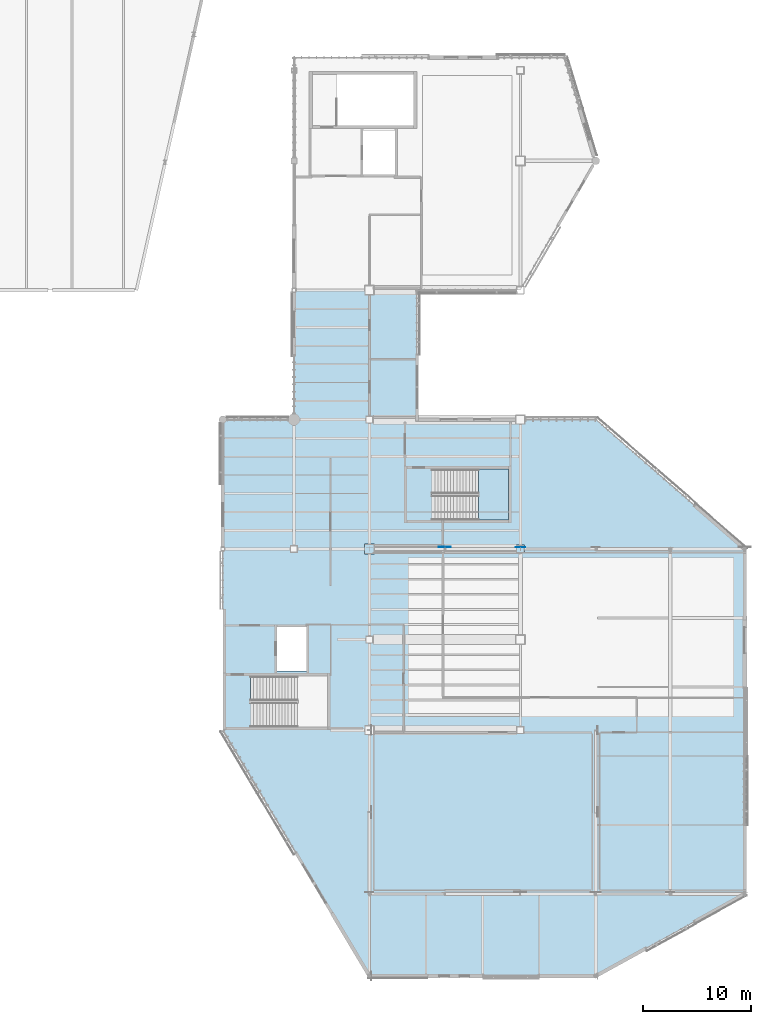
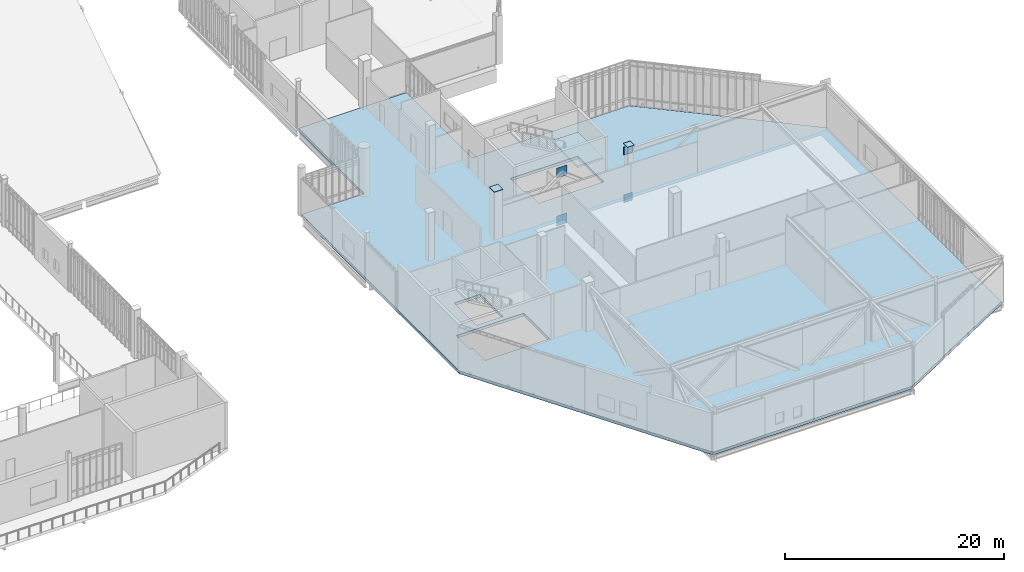
# One storey, part 86 of 135: 6 plates, 2 slabs, 1 element without a shape of its own.
"""IFC4 building model written with IfcOpenShell, lengths in metres."""

from ifc_helpers import new_model, si_unit, direction, frame, origin, origin_2d, place, context, subcontext, project, spatial, polyline, rectangle, outline, extrude, material, layer, layer_set, type_object, element, aggregate, save


model = new_model("IFC4")

# Units and contexts
model_context = context("Model", 3, precision=1e-05, world=origin(), true_north=direction((0.0, 1.0)))
body_context = subcontext(model_context, "Body", "Model", "MODEL_VIEW")
ifc_project = project(units=[si_unit("LENGTHUNIT", "METRE"), si_unit("AREAUNIT", "SQUARE_METRE"), si_unit("VOLUMEUNIT", "CUBIC_METRE"), si_unit("PLANEANGLEUNIT", "RADIAN"), si_unit("MASSUNIT", "GRAM", prefix="KILO")], contexts=[model_context])

# Site, building, storey
site_placement = place(None, origin())
site = spatial("IfcSite", under=ifc_project, at=site_placement, CompositionType="ELEMENT")
building_placement = place(site_placement, origin())
building = spatial("IfcBuilding", under=site, at=building_placement, Name="Larkvane Passage Sports Hall", CompositionType="ELEMENT")
storey_placement = place(building_placement, frame((0.0, 0.0, 16.800048828125)))
storey = spatial("IfcBuildingStorey", under=building, at=storey_placement, Name="L03", CompositionType="ELEMENT", Elevation=16.800048828125)

# Plates
ifc_material_1 = material(Name="Steel S460N", Category="steel")
ifc_layer_1 = layer(ifc_material_1, 0.028076171875)
ifc_layer_set_1 = layer_set([ifc_layer_1], Name="Steel S460N")
plate_type_1 = type_object("IfcPlateType", Name="PLT-CAP-28", PredefinedType="SHEET", material=ifc_layer_set_1)
plate_1_placement = place(storey_placement, frame((145.60009765625, 39.60009765625, 5.39990234375), z_axis=(0.0, 0.0, 1.0), x_axis=(1.0, 0.0, 0.0)))
element("IfcPlate", 1, at=plate_1_placement, inside=storey, type_object=plate_type_1, Name="Hollow section sealed end cap plate 0037", PredefinedType="SHEET", context=body_context, shape_type="SweptSolid", body=[
    extrude(rectangle(XDim=0.739990234375, YDim=0.739990234375, at=origin_2d()), origin(), (0.0, 0.0, 1.0), 0.028076171875),
])
ifc_layer_2 = layer(ifc_material_1, 0.035888671875)
ifc_layer_set_2 = layer_set([ifc_layer_2], Name="Steel S460N")
plate_type_2 = type_object("IfcPlateType", Name="PLT-CAP-36", PredefinedType="SHEET", material=ifc_layer_set_2)
plate_2_placement = place(storey_placement, frame((131.60009765625, 39.60009765625, 5.39990234375), z_axis=(0.0, 0.0, 1.0), x_axis=(1.0, 0.0, 0.0)))
element("IfcPlate", 2, at=plate_2_placement, inside=storey, type_object=plate_type_2, Name="Hollow section sealed end cap plate 0030", PredefinedType="SHEET", context=body_context, shape_type="SweptSolid", body=[
    extrude(rectangle(XDim=0.93994140625, YDim=0.93994140625, at=origin_2d()), origin(), (0.0, 0.0, 1.0), 0.035888671875),
])
ifc_layer_3 = layer(ifc_material_1, 0.031982421875)
ifc_layer_set_3 = layer_set([ifc_layer_3], Name="Steel S460N")
plate_type_3 = type_object("IfcPlateType", Name="PLT-GUS-32", PredefinedType="USERDEFINED", material=ifc_layer_set_3)
for number, where, z_axis, x_axis, name in (
    (3, (145.60009765625, 39.76611328125, -1.06396484375), (0.0, 0.0, 1.0), (1.0, 0.0, 0.0), "Truss node gusset plate ND-3B (CT-E3A-2)"),
    (4, (145.60009765625, 39.76611328125, 4.27587890625), (0.0, 0.0, 1.0), (1.0, 0.0, 0.0), "Truss node gusset plate ND-3T (CT-E3A-2)"),
):
    element("IfcPlate", number, at=place(storey_placement, frame(where, z_axis=z_axis, x_axis=x_axis)), inside=storey, type_object=plate_type_3, Name=name, ObjectType="GUSSET PLATE", PredefinedType="USERDEFINED", context=body_context, shape_type="SweptSolid", body=[
        extrude(rectangle(XDim=0.89990234375, YDim=0.031982421875, at=origin_2d()), origin(), (0.0, 0.0, 1.0), 0.89990234375),
    ])
ifc_layer_4 = layer(ifc_material_1, 0.0400390625)
ifc_layer_set_4 = layer_set([ifc_layer_4], Name="Steel S460N")
plate_type_4 = type_object("IfcPlateType", Name="PLT-GUS-40", PredefinedType="USERDEFINED", material=ifc_layer_set_4)
for number, where, z_axis, x_axis, name in (
    (5, (138.60009765625, 39.77001953125, -1.1640625), (0.0, 0.0, 1.0), (1.0, 0.0, 0.0), "Truss node gusset plate ND-2B (CT-E3A-2)"),
    (6, (138.60009765625, 39.77001953125, 4.17578125), (0.0, 0.0, 1.0), (1.0, 0.0, 0.0), "Truss node gusset plate ND-2T (CT-E3A-2)"),
):
    element("IfcPlate", number, at=place(storey_placement, frame(where, z_axis=z_axis, x_axis=x_axis)), inside=storey, type_object=plate_type_4, Name=name, ObjectType="GUSSET PLATE", PredefinedType="USERDEFINED", context=body_context, shape_type="SweptSolid", body=[
        extrude(rectangle(XDim=1.10009765625, YDim=0.0400390625, at=origin_2d()), origin(), (0.0, 0.0, 1.0), 1.10009765625),
    ])

# Slab
ifc_material_2 = material(Name="Concrete C50/60", Category="concrete")
ifc_layer_5 = layer(ifc_material_2, 0.320068359375)
ifc_layer_set_5 = layer_set([ifc_layer_5], Name="Concrete C50/60")
slab_type_1 = type_object("IfcSlabType", Name="SLB-FLR-320", PredefinedType="FLOOR", material=ifc_layer_set_5)
slab_1_placement = place(storey_placement, frame((0.0, 0.0, -0.320068359375)))
element("IfcSlab", 7, at=slab_1_placement, inside=storey, type_object=slab_type_1, Name="Structural floor slab SLAB-L03-CANT-E", PredefinedType="FLOOR", context=body_context, shape_type="SweptSolid", body=[
    extrude(outline(polyline([(118.0, 22.800048828125), (131.60009765625, 0.0), (152.60009765625, 0.0), (166.39990234375, 7.60009765625), (166.39990234375, 39.60009765625), (152.60009765625, 51.60009765625), (136.0, 51.60009765625), (136.0, 63.60009765625), (124.60009765625, 63.60009765625), (124.60009765625, 51.60009765625), (118.0, 51.60009765625), (118.0, 22.800048828125)]), holes=[polyline([(120.8798828125, 23.10009765625), (120.8798828125, 25.35009765625), (120.58056640625, 25.35009765625), (120.58056640625, 27.800048828125), (127.699951171875, 27.800048828125), (127.699951171875, 23.10009765625), (120.8798828125, 23.10009765625)]), polyline([(137.679931640625, 42.300048828125), (137.679931640625, 44.550048828125), (137.380615234375, 44.550048828125), (137.380615234375, 47.0), (144.5, 47.0), (144.5, 42.300048828125), (137.679931640625, 42.300048828125)]), polyline([(123.0, 32.39990234375), (125.800048828125, 32.39990234375), (125.800048828125, 28.300048828125), (123.0, 28.300048828125), (123.0, 32.39990234375)])]), origin(), (0.0, 0.0, 1.0), 0.320068359375),
])

# Stair, slab
ifc_material_3 = material(Name="Concrete C40/50", Category="concrete")
stair_type = type_object("IfcStairType", Name="STR-CORE-2250", PredefinedType="HALF_TURN_STAIR", material=ifc_material_3)
stair_placement = place(storey_placement, origin())
stair = element("IfcStair", 8, at=stair_placement, inside=storey, type_object=stair_type, Name="L03 Protected exit stair ST-07", PredefinedType="HALF_TURN_STAIR")
ifc_layer_6 = layer(ifc_material_3, 0.199951171875)
ifc_layer_set_6 = layer_set([ifc_layer_6], Name="Concrete C40/50")
slab_type_2 = type_object("IfcSlabType", Name="SLB-LAND-200", PredefinedType="LANDING", material=ifc_layer_set_6)
slab_2_placement = place(storey_placement, frame((0.0, 0.0, 2.5)))
slab_2 = element("IfcSlab", 9, at=slab_2_placement, type_object=slab_type_2, Name="ST-07 landing 1", PredefinedType="LANDING", context=body_context, shape_type="SweptSolid", body=[
    extrude(outline(polyline([(141.72998046875, 42.300048828125), (144.5, 42.300048828125), (144.5, 47.0), (141.72998046875, 47.0), (141.72998046875, 42.300048828125)])), origin(), (0.0, 0.0, 1.0), 0.199951171875),
])
aggregate(stair, [slab_2])

save(model, "model.ifc")
